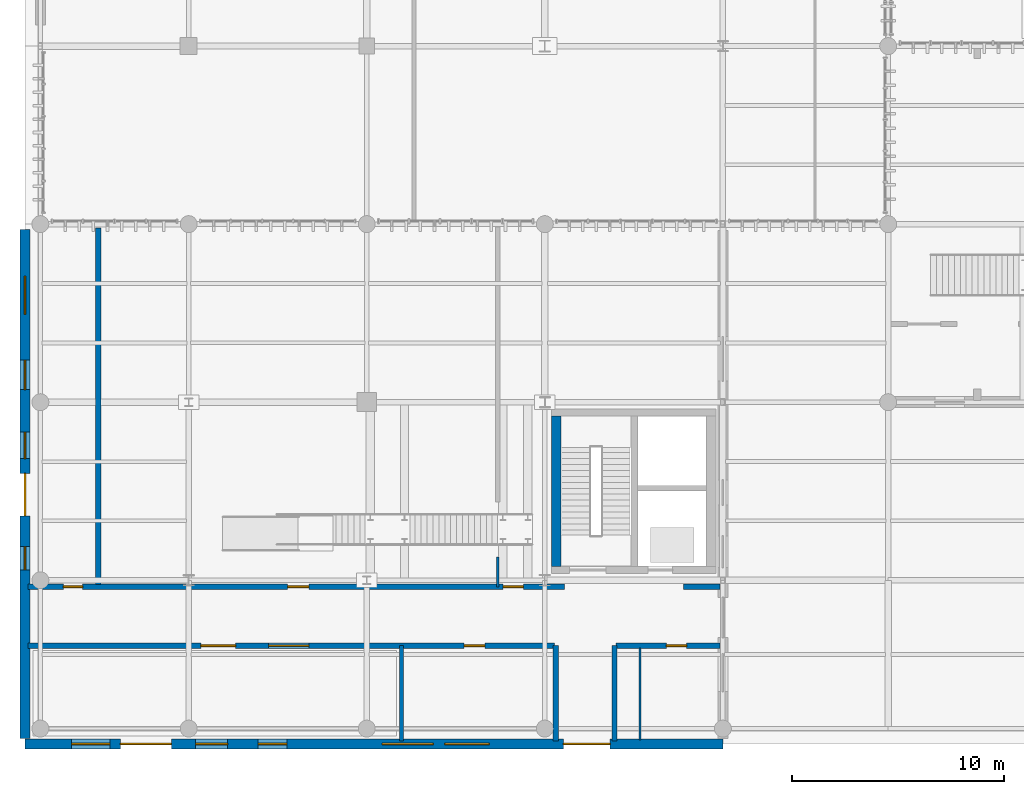
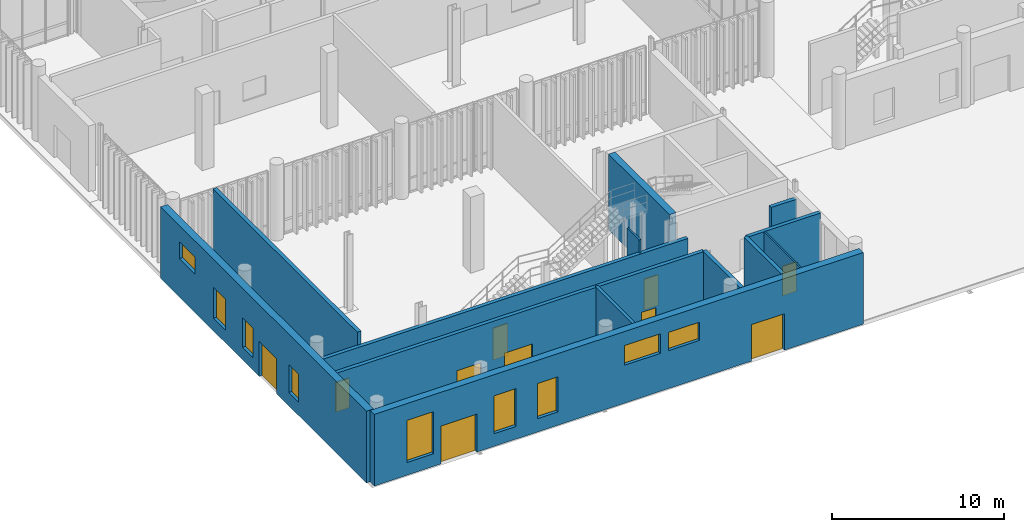
# One storey, part 85 of 112: 13 walls, 10 windows, 9 doors, 19 openings.
"""IFC4 building model written with IfcOpenShell, lengths in metres."""

from ifc_helpers import new_model, si_unit, direction, frame, frame_2d, origin_with_axes, place, context, subcontext, project, spatial, rectangle, extrude, material, layer, layer_set, type_object, element, fill, save


model = new_model("IFC4")

# Units and contexts
model_context = context("Model", 3, precision=1e-05, world=origin_with_axes(), true_north=direction((0.0, 1.0)))
body_context = subcontext(model_context, "Body", "Model", "MODEL_VIEW")
ifc_project = project(units=[si_unit("LENGTHUNIT", "METRE"), si_unit("AREAUNIT", "SQUARE_METRE"), si_unit("VOLUMEUNIT", "CUBIC_METRE"), si_unit("PLANEANGLEUNIT", "RADIAN"), si_unit("MASSUNIT", "GRAM", prefix="KILO"), si_unit("THERMODYNAMICTEMPERATUREUNIT", "KELVIN")], contexts=[model_context])

# Site, building, storey
site_placement = place(None, origin_with_axes())
site = spatial("IfcSite", under=ifc_project, at=site_placement, CompositionType="ELEMENT")
building_placement = place(site_placement, origin_with_axes())
building = spatial("IfcBuilding", under=site, at=building_placement, Name="Montbau Bow Law Courts", CompositionType="ELEMENT")
storey_placement = place(building_placement, origin_with_axes())
storey = spatial("IfcBuildingStorey", under=building, at=storey_placement, Name="L00", CompositionType="ELEMENT", Elevation=0.0)

# Wall
ifc_material_1 = material(Name="Concrete CSA A23.1 f'c 45 MPa", Category="concrete")
ifc_layer_1 = layer(ifc_material_1, 0.45, Name="Shear Wall", Category="concrete")
ifc_layer_set_1 = layer_set([ifc_layer_1], Name="Concrete CSA A23.1 f'c 45 MPa")
wall_type_1 = type_object("IfcWallType", Name="W-COR-02", PredefinedType="SHEAR", material=ifc_layer_set_1)
wall_1_placement = place(None, frame((31.14, 21.56, 0.0), z_axis=(0.0, 0.0, 1.0), x_axis=(0.0, -1.0, 0.0)))
element("IfcWall", 1, at=wall_1_placement, inside=storey, type_object=wall_type_1, Name="WC-L00-0534:wal_0601", PredefinedType="SHEAR", context=body_context, shape_type="SweptSolid", body=[
    extrude(rectangle(XDim=7.119999999999999, YDim=0.45, at=frame_2d((3.56, 0.0), x_axis=(1.0, 0.0))), origin_with_axes(), (0.0, 0.0, 1.0), 5.4),
])

# Wall, openings, doors, windows
ifc_material_2 = material(Name="Manitoba Tyndall Limestone on Insulated Concrete Backing CSA A23.1 f'c 35 MPa", Category="masonry")
ifc_layer_2 = layer(ifc_material_2, 0.48, Name="Solid Wall", Category="masonry")
ifc_layer_set_2 = layer_set([ifc_layer_2], Name="Manitoba Tyndall Limestone on Insulated Concrete Backing CSA A23.1 f'c 35 MPa")
wall_type_2 = type_object("IfcWallType", Name="W-EXT-01", PredefinedType="SOLIDWALL", material=ifc_layer_set_2)
wall_2_placement = place(None, frame((6.08, 6.08, 0.0), z_axis=(0.0, 0.0, 1.0), x_axis=(1.0, 0.0, 0.0)))
wall_2 = element("IfcWall", 2, at=wall_2_placement, inside=storey, type_object=wall_type_2, Name="WE-L00-001:wal_0018", PredefinedType="SOLIDWALL", context=body_context, shape_type="SweptSolid", body=[
    extrude(rectangle(XDim=32.92, YDim=0.48, at=frame_2d((16.46, 0.0), x_axis=(1.0, 0.0))), origin_with_axes(), (0.0, 0.0, 1.0), 5.1),
])
opening_1_placement = place(None, frame((11.78, 6.08, 0.0), z_axis=(0.0, 0.0, 1.0), x_axis=(1.0, 0.0, 0.0)))
opening_1 = element("IfcOpeningElement", 3, at=opening_1_placement, cuts=wall_2, Name="OP-D-L00-E07", PredefinedType="OPENING", context=body_context, shape_type="SweptSolid", body=[
    extrude(rectangle(XDim=2.4, YDim=2.7, at=frame_2d((0.0, 1.35), x_axis=(1.0, 0.0))), frame((0.0, 0.25, 0.0), z_axis=(0.0, -1.0, 0.0), x_axis=(1.0, 0.0, 0.0)), (0.0, 0.0, 1.0), 0.5),
])
opening_2_placement = place(None, frame((32.58, 6.08, 0.0), z_axis=(0.0, 0.0, 1.0), x_axis=(1.0, 0.0, 0.0)))
opening_2 = element("IfcOpeningElement", 4, at=opening_2_placement, cuts=wall_2, Name="OP-D-L00-E08", PredefinedType="OPENING", context=body_context, shape_type="SweptSolid", body=[
    extrude(rectangle(XDim=2.2, YDim=2.6, at=frame_2d((0.0, 1.3), x_axis=(1.0, 0.0))), frame((0.0, 0.25, 0.0), z_axis=(0.0, -1.0, 0.0), x_axis=(1.0, 0.0, 0.0)), (0.0, 0.0, 1.0), 0.5),
])
opening_3_placement = place(None, frame((9.18, 6.08, 0.9), z_axis=(0.0, 0.0, 1.0), x_axis=(1.0, 0.0, 0.0)))
opening_3 = element("IfcOpeningElement", 5, at=opening_3_placement, cuts=wall_2, Name="OP-WN-L00-005", PredefinedType="OPENING", context=body_context, shape_type="SweptSolid", body=[
    extrude(rectangle(XDim=1.8, YDim=3.0, at=frame_2d((0.0, 1.5), x_axis=(1.0, 0.0))), frame((0.0, 0.25, 0.0), z_axis=(0.0, -1.0, 0.0), x_axis=(1.0, 0.0, 0.0)), (0.0, 0.0, 1.0), 0.5),
])
opening_4_placement = place(None, frame((14.88, 6.08, 0.9), z_axis=(0.0, 0.0, 1.0), x_axis=(1.0, 0.0, 0.0)))
opening_4 = element("IfcOpeningElement", 6, at=opening_4_placement, cuts=wall_2, Name="OP-WN-L00-006", PredefinedType="OPENING", context=body_context, shape_type="SweptSolid", body=[
    extrude(rectangle(XDim=1.5, YDim=2.7, at=frame_2d((0.0, 1.35), x_axis=(1.0, 0.0))), frame((0.0, 0.25, 0.0), z_axis=(0.0, -1.0, 0.0), x_axis=(1.0, 0.0, 0.0)), (0.0, 0.0, 1.0), 0.5),
])
opening_5_placement = place(None, frame((17.755, 6.08, 0.95), z_axis=(0.0, 0.0, 1.0), x_axis=(1.0, 0.0, 0.0)))
opening_5 = element("IfcOpeningElement", 7, at=opening_5_placement, cuts=wall_2, Name="OP-WN-L00-007", PredefinedType="OPENING", context=body_context, shape_type="SweptSolid", body=[
    extrude(rectangle(XDim=1.35, YDim=2.5, at=frame_2d((0.0, 1.25), x_axis=(1.0, 0.0))), frame((0.0, 0.25, 0.0), z_axis=(0.0, -1.0, 0.0), x_axis=(1.0, 0.0, 0.0)), (0.0, 0.0, 1.0), 0.5),
])
opening_6_placement = place(None, frame((24.13, 6.08, 2.7), z_axis=(0.0, 0.0, 1.0), x_axis=(1.0, 0.0, 0.0)))
opening_6 = element("IfcOpeningElement", 8, at=opening_6_placement, cuts=wall_2, Name="OP-WN-L00-008", PredefinedType="OPENING", context=body_context, shape_type="SweptSolid", body=[
    extrude(rectangle(XDim=2.4, YDim=1.4, at=frame_2d((0.0, 0.7), x_axis=(1.0, 0.0))), frame((0.0, 0.25, 0.0), z_axis=(0.0, -1.0, 0.0), x_axis=(1.0, 0.0, 0.0)), (0.0, 0.0, 1.0), 0.5),
])
opening_7_placement = place(None, frame((26.93, 6.08, 2.7), z_axis=(0.0, 0.0, 1.0), x_axis=(1.0, 0.0, 0.0)))
opening_7 = element("IfcOpeningElement", 9, at=opening_7_placement, cuts=wall_2, Name="OP-WN-L00-009", PredefinedType="OPENING", context=body_context, shape_type="SweptSolid", body=[
    extrude(rectangle(XDim=2.1, YDim=1.3, at=frame_2d((0.0, 0.65), x_axis=(1.0, 0.0))), frame((0.0, 0.25, 0.0), z_axis=(0.0, -1.0, 0.0), x_axis=(1.0, 0.0, 0.0)), (0.0, 0.0, 1.0), 0.5),
])
ifc_material_3 = material(Name="Thermally Broken Bronze-Anodised Aluminium Glazed Entrance Door", Category="aluminium")
door_type_1 = type_object("IfcDoorType", Name="D-EXT-01", OperationType="NOTDEFINED", ParameterTakesPrecedence=False, PredefinedType="DOOR", material=ifc_material_3)
door_1_placement = place(None, frame((11.78, 6.08, 0.0), z_axis=(0.0, 0.0, 1.0), x_axis=(-1.0, 0.0, 0.0)))
door_1 = element("IfcDoor", 10, at=door_1_placement, inside=storey, type_object=door_type_1, Name="D-L00-E07:dor_0008", OperationType="DOUBLE_DOOR_SINGLE_SWING", OverallHeight=2.7, OverallWidth=2.4, PredefinedType="DOOR", context=body_context, shape_type="SweptSolid", body=[
    extrude(rectangle(XDim=2.4, YDim=2.7, at=frame_2d((0.0, 1.35), x_axis=(1.0, 0.0))), frame((0.0, 0.04, 0.0), z_axis=(0.0, -1.0, 0.0), x_axis=(1.0, 0.0, 0.0)), (0.0, 0.0, 1.0), 0.08),
])
fill(opening_1, door_1)
ifc_material_4 = material(Name="Thermally Broken Bronze-Anodised Aluminium Exit Door", Category="aluminium")
door_type_2 = type_object("IfcDoorType", Name="D-EXT-02", OperationType="NOTDEFINED", ParameterTakesPrecedence=False, PredefinedType="DOOR", material=ifc_material_4)
door_2_placement = place(None, frame((32.58, 6.08, 0.0), z_axis=(0.0, 0.0, 1.0), x_axis=(-1.0, 0.0, 0.0)))
door_2 = element("IfcDoor", 11, at=door_2_placement, inside=storey, type_object=door_type_2, Name="D-L00-E08:dor_0009", OperationType="DOUBLE_DOOR_SINGLE_SWING", OverallHeight=2.6, OverallWidth=2.2, PredefinedType="DOOR", context=body_context, shape_type="SweptSolid", body=[
    extrude(rectangle(XDim=2.2, YDim=2.6, at=frame_2d((0.0, 1.3), x_axis=(1.0, 0.0))), frame((0.0, 0.04, 0.0), z_axis=(0.0, -1.0, 0.0), x_axis=(1.0, 0.0, 0.0)), (0.0, 0.0, 1.0), 0.08),
])
fill(opening_2, door_2)
ifc_material_5 = material(Name="Triple-Glazed Low-E Argon Insulating Glass Unit", Category="glass")
window_type_1 = type_object("IfcWindowType", Name="WN-CRT-01", ParameterTakesPrecedence=False, PartitioningType="SINGLE_PANEL", PredefinedType="WINDOW", material=ifc_material_5)
window_1_placement = place(None, frame((24.13, 6.08, 2.7), z_axis=(0.0, 0.0, 1.0), x_axis=(1.0, 0.0, 0.0)))
window_1 = element("IfcWindow", 12, at=window_1_placement, inside=storey, type_object=window_type_1, Name="WN-L00-008:win_0008", OverallHeight=1.4, OverallWidth=2.4, PartitioningType="SINGLE_PANEL", PredefinedType="WINDOW", context=body_context, shape_type="SweptSolid", body=[
    extrude(rectangle(XDim=2.4, YDim=1.4, at=frame_2d((0.0, 0.7), x_axis=(1.0, 0.0))), frame((0.0, 0.03, 0.0), z_axis=(0.0, -1.0, 0.0), x_axis=(1.0, 0.0, 0.0)), (0.0, 0.0, 1.0), 0.06),
])
fill(opening_6, window_1)
window_type_2 = type_object("IfcWindowType", Name="WN-CRT-02", ParameterTakesPrecedence=False, PartitioningType="SINGLE_PANEL", PredefinedType="WINDOW", material=ifc_material_5)
window_2_placement = place(None, frame((26.93, 6.08, 2.7), z_axis=(0.0, 0.0, 1.0), x_axis=(1.0, 0.0, 0.0)))
window_2 = element("IfcWindow", 13, at=window_2_placement, inside=storey, type_object=window_type_2, Name="WN-L00-009:win_0009", OverallHeight=1.3, OverallWidth=2.1, PartitioningType="SINGLE_PANEL", PredefinedType="WINDOW", context=body_context, shape_type="SweptSolid", body=[
    extrude(rectangle(XDim=2.1, YDim=1.3, at=frame_2d((0.0, 0.65), x_axis=(1.0, 0.0))), frame((0.0, 0.03, 0.0), z_axis=(0.0, -1.0, 0.0), x_axis=(1.0, 0.0, 0.0)), (0.0, 0.0, 1.0), 0.06),
])
fill(opening_7, window_2)
window_type_3 = type_object("IfcWindowType", Name="WN-PLN-02", ParameterTakesPrecedence=False, PartitioningType="SINGLE_PANEL", PredefinedType="WINDOW", material=ifc_material_5)
window_3_placement = place(None, frame((9.18, 6.08, 0.9), z_axis=(0.0, 0.0, 1.0), x_axis=(1.0, 0.0, 0.0)))
window_3 = element("IfcWindow", 14, at=window_3_placement, inside=storey, type_object=window_type_3, Name="WN-L00-005:win_0005", OverallHeight=3.0, OverallWidth=1.8, PartitioningType="SINGLE_PANEL", PredefinedType="WINDOW", context=body_context, shape_type="SweptSolid", body=[
    extrude(rectangle(XDim=1.8, YDim=3.0, at=frame_2d((0.0, 1.5), x_axis=(1.0, 0.0))), frame((0.0, 0.03, 0.0), z_axis=(0.0, -1.0, 0.0), x_axis=(1.0, 0.0, 0.0)), (0.0, 0.0, 1.0), 0.06),
])
fill(opening_3, window_3)
window_type_4 = type_object("IfcWindowType", Name="WN-PLN-03", ParameterTakesPrecedence=False, PartitioningType="SINGLE_PANEL", PredefinedType="WINDOW", material=ifc_material_5)
window_4_placement = place(None, frame((14.88, 6.08, 0.9), z_axis=(0.0, 0.0, 1.0), x_axis=(1.0, 0.0, 0.0)))
window_4 = element("IfcWindow", 15, at=window_4_placement, inside=storey, type_object=window_type_4, Name="WN-L00-006:win_0006", OverallHeight=2.7, OverallWidth=1.5, PartitioningType="SINGLE_PANEL", PredefinedType="WINDOW", context=body_context, shape_type="SweptSolid", body=[
    extrude(rectangle(XDim=1.5, YDim=2.7, at=frame_2d((0.0, 1.35), x_axis=(1.0, 0.0))), frame((0.0, 0.03, 0.0), z_axis=(0.0, -1.0, 0.0), x_axis=(1.0, 0.0, 0.0)), (0.0, 0.0, 1.0), 0.06),
])
fill(opening_4, window_4)
window_type_5 = type_object("IfcWindowType", Name="WN-PLN-04", ParameterTakesPrecedence=False, PartitioningType="SINGLE_PANEL", PredefinedType="WINDOW", material=ifc_material_5)
window_5_placement = place(None, frame((17.755, 6.08, 0.95), z_axis=(0.0, 0.0, 1.0), x_axis=(1.0, 0.0, 0.0)))
window_5 = element("IfcWindow", 16, at=window_5_placement, inside=storey, type_object=window_type_5, Name="WN-L00-007:win_0007", OverallHeight=2.5, OverallWidth=1.35, PartitioningType="SINGLE_PANEL", PredefinedType="WINDOW", context=body_context, shape_type="SweptSolid", body=[
    extrude(rectangle(XDim=1.35, YDim=2.5, at=frame_2d((0.0, 1.25), x_axis=(1.0, 0.0))), frame((0.0, 0.03, 0.0), z_axis=(0.0, -1.0, 0.0), x_axis=(1.0, 0.0, 0.0)), (0.0, 0.0, 1.0), 0.06),
])
fill(opening_5, window_5)

# Wall, openings, door, windows
wall_3_placement = place(None, frame((6.08, 30.34, 0.0), z_axis=(0.0, 0.0, 1.0), x_axis=(0.0, -1.0, 0.0)))
wall_3 = element("IfcWall", 17, at=wall_3_placement, inside=storey, type_object=wall_type_2, Name="WE-L00-003:wal_0020", PredefinedType="SOLIDWALL", context=body_context, shape_type="SweptSolid", body=[
    extrude(rectangle(XDim=24.0, YDim=0.48, at=frame_2d((12.0, 0.0), x_axis=(1.0, 0.0))), origin_with_axes(), (0.0, 0.0, 1.0), 5.1),
])
opening_8_placement = place(None, frame((6.08, 17.84, 0.0), z_axis=(0.0, 0.0, 1.0), x_axis=(0.0, -1.0, 0.0)))
opening_8 = element("IfcOpeningElement", 18, at=opening_8_placement, cuts=wall_3, Name="OP-D-L00-E09", PredefinedType="OPENING", context=body_context, shape_type="SweptSolid", body=[
    extrude(rectangle(XDim=2.0, YDim=2.5, at=frame_2d((0.0, 1.25), x_axis=(1.0, 0.0))), frame((0.0, 0.25, 0.0), z_axis=(0.0, -1.0, 0.0), x_axis=(1.0, 0.0, 0.0)), (0.0, 0.0, 1.0), 0.5),
])
opening_9_placement = place(None, frame((6.08, 27.24, 2.75), z_axis=(0.0, 0.0, 1.0), x_axis=(0.0, -1.0, 0.0)))
opening_9 = element("IfcOpeningElement", 19, at=opening_9_placement, cuts=wall_3, Name="OP-WN-L00-010", PredefinedType="OPENING", context=body_context, shape_type="SweptSolid", body=[
    extrude(rectangle(XDim=1.8, YDim=1.2, at=frame_2d((0.0, 0.6), x_axis=(1.0, 0.0))), frame((0.0, 0.25, 0.0), z_axis=(0.0, -1.0, 0.0), x_axis=(1.0, 0.0, 0.0)), (0.0, 0.0, 1.0), 0.5),
])
opening_10_placement = place(None, frame((6.08, 23.49, 0.9), z_axis=(0.0, 0.0, 1.0), x_axis=(0.0, -1.0, 0.0)))
opening_10 = element("IfcOpeningElement", 20, at=opening_10_placement, cuts=wall_3, Name="OP-WN-L00-011", PredefinedType="OPENING", context=body_context, shape_type="SweptSolid", body=[
    extrude(rectangle(XDim=1.4, YDim=2.2, at=frame_2d((0.0, 1.1), x_axis=(1.0, 0.0))), frame((0.0, 0.25, 0.0), z_axis=(0.0, -1.0, 0.0), x_axis=(1.0, 0.0, 0.0)), (0.0, 0.0, 1.0), 0.5),
])
opening_11_placement = place(None, frame((6.08, 20.165, 0.9), z_axis=(0.0, 0.0, 1.0), x_axis=(0.0, -1.0, 0.0)))
opening_11 = element("IfcOpeningElement", 21, at=opening_11_placement, cuts=wall_3, Name="OP-WN-L00-012", PredefinedType="OPENING", context=body_context, shape_type="SweptSolid", body=[
    extrude(rectangle(XDim=1.25, YDim=2.1, at=frame_2d((0.0, 1.05), x_axis=(1.0, 0.0))), frame((0.0, 0.25, 0.0), z_axis=(0.0, -1.0, 0.0), x_axis=(1.0, 0.0, 0.0)), (0.0, 0.0, 1.0), 0.5),
])
opening_12_placement = place(None, frame((6.08, 14.84, 0.95), z_axis=(0.0, 0.0, 1.0), x_axis=(0.0, -1.0, 0.0)))
opening_12 = element("IfcOpeningElement", 22, at=opening_12_placement, cuts=wall_3, Name="OP-WN-L00-013", PredefinedType="OPENING", context=body_context, shape_type="SweptSolid", body=[
    extrude(rectangle(XDim=1.1, YDim=2.0, at=frame_2d((0.0, 1.0), x_axis=(1.0, 0.0))), frame((0.0, 0.25, 0.0), z_axis=(0.0, -1.0, 0.0), x_axis=(1.0, 0.0, 0.0)), (0.0, 0.0, 1.0), 0.5),
])
ifc_material_6 = material(Name="Thermally Broken Aluminium Street Exit Door", Category="aluminium")
door_type_3 = type_object("IfcDoorType", Name="D-EXT-03", OperationType="NOTDEFINED", ParameterTakesPrecedence=False, PredefinedType="DOOR", material=ifc_material_6)
door_3_placement = place(None, frame((6.08, 17.84, 0.0), z_axis=(0.0, 0.0, 1.0), x_axis=(0.0, 1.0, 0.0)))
door_3 = element("IfcDoor", 23, at=door_3_placement, inside=storey, type_object=door_type_3, Name="D-L00-E09:dor_0010", OperationType="DOUBLE_DOOR_SINGLE_SWING", OverallHeight=2.5, OverallWidth=2.0, PredefinedType="DOOR", context=body_context, shape_type="SweptSolid", body=[
    extrude(rectangle(XDim=2.0, YDim=2.5, at=frame_2d((0.0, 1.25), x_axis=(1.0, 0.0))), frame((0.0, 0.04, 0.0), z_axis=(0.0, -1.0, 0.0), x_axis=(1.0, 0.0, 0.0)), (0.0, 0.0, 1.0), 0.08),
])
fill(opening_8, door_3)
window_type_6 = type_object("IfcWindowType", Name="WN-CHM-01", ParameterTakesPrecedence=False, PartitioningType="SINGLE_PANEL", PredefinedType="WINDOW", material=ifc_material_5)
window_6_placement = place(None, frame((6.08, 23.49, 0.9), z_axis=(0.0, 0.0, 1.0), x_axis=(0.0, -1.0, 0.0)))
window_6 = element("IfcWindow", 24, at=window_6_placement, inside=storey, type_object=window_type_6, Name="WN-L00-011:win_0011", OverallHeight=2.2, OverallWidth=1.4, PartitioningType="SINGLE_PANEL", PredefinedType="WINDOW", context=body_context, shape_type="SweptSolid", body=[
    extrude(rectangle(XDim=1.4, YDim=2.2, at=frame_2d((0.0, 1.1), x_axis=(1.0, 0.0))), frame((0.0, 0.03, 0.0), z_axis=(0.0, -1.0, 0.0), x_axis=(1.0, 0.0, 0.0)), (0.0, 0.0, 1.0), 0.06),
])
fill(opening_10, window_6)
window_type_7 = type_object("IfcWindowType", Name="WN-CHM-02", ParameterTakesPrecedence=False, PartitioningType="SINGLE_PANEL", PredefinedType="WINDOW", material=ifc_material_5)
window_7_placement = place(None, frame((6.08, 20.165, 0.9), z_axis=(0.0, 0.0, 1.0), x_axis=(0.0, -1.0, 0.0)))
window_7 = element("IfcWindow", 25, at=window_7_placement, inside=storey, type_object=window_type_7, Name="WN-L00-012:win_0012", OverallHeight=2.1, OverallWidth=1.25, PartitioningType="SINGLE_PANEL", PredefinedType="WINDOW", context=body_context, shape_type="SweptSolid", body=[
    extrude(rectangle(XDim=1.25, YDim=2.1, at=frame_2d((0.0, 1.05), x_axis=(1.0, 0.0))), frame((0.0, 0.03, 0.0), z_axis=(0.0, -1.0, 0.0), x_axis=(1.0, 0.0, 0.0)), (0.0, 0.0, 1.0), 0.06),
])
fill(opening_11, window_7)
window_type_8 = type_object("IfcWindowType", Name="WN-CHM-03", ParameterTakesPrecedence=False, PartitioningType="SINGLE_PANEL", PredefinedType="WINDOW", material=ifc_material_5)
window_8_placement = place(None, frame((6.08, 14.84, 0.95), z_axis=(0.0, 0.0, 1.0), x_axis=(0.0, -1.0, 0.0)))
window_8 = element("IfcWindow", 26, at=window_8_placement, inside=storey, type_object=window_type_8, Name="WN-L00-013:win_0013", OverallHeight=2.0, OverallWidth=1.1, PartitioningType="SINGLE_PANEL", PredefinedType="WINDOW", context=body_context, shape_type="SweptSolid", body=[
    extrude(rectangle(XDim=1.1, YDim=2.0, at=frame_2d((0.0, 1.0), x_axis=(1.0, 0.0))), frame((0.0, 0.03, 0.0), z_axis=(0.0, -1.0, 0.0), x_axis=(1.0, 0.0, 0.0)), (0.0, 0.0, 1.0), 0.06),
])
fill(opening_12, window_8)
window_type_9 = type_object("IfcWindowType", Name="WN-CRT-03", ParameterTakesPrecedence=False, PartitioningType="SINGLE_PANEL", PredefinedType="WINDOW", material=ifc_material_5)
window_9_placement = place(None, frame((6.08, 27.24, 2.75), z_axis=(0.0, 0.0, 1.0), x_axis=(0.0, -1.0, 0.0)))
window_9 = element("IfcWindow", 27, at=window_9_placement, inside=storey, type_object=window_type_9, Name="WN-L00-010:win_0010", OverallHeight=1.2, OverallWidth=1.8, PartitioningType="SINGLE_PANEL", PredefinedType="WINDOW", context=body_context, shape_type="SweptSolid", body=[
    extrude(rectangle(XDim=1.8, YDim=1.2, at=frame_2d((0.0, 0.6), x_axis=(1.0, 0.0))), frame((0.0, 0.03, 0.0), z_axis=(0.0, -1.0, 0.0), x_axis=(1.0, 0.0, 0.0)), (0.0, 0.0, 1.0), 0.06),
])
fill(opening_9, window_9)

# Walls
ifc_material_7 = material(Name="Double-Stud Acoustic Plumbing Chase Gypsum Assembly", Category="gypsum")
ifc_layer_3 = layer(ifc_material_7, 0.26, Name="Plumbing Wall", Category="gypsum")
ifc_layer_set_3 = layer_set([ifc_layer_3], Name="Double-Stud Acoustic Plumbing Chase Gypsum Assembly")
wall_type_3 = type_object("IfcWallType", Name="W-PLM-01", PredefinedType="PLUMBINGWALL", material=ifc_layer_set_3)
wall_4_placement = place(None, frame((9.54, 13.59, 0.0), z_axis=(0.0, 0.0, 1.0), x_axis=(0.0, 1.0, 0.0)))
element("IfcWall", 28, at=wall_4_placement, inside=storey, type_object=wall_type_3, Name="WD-L00-0613:wal_0680", PredefinedType="PLUMBINGWALL", context=body_context, shape_type="SweptSolid", body=[
    extrude(rectangle(XDim=16.830000000000002, YDim=0.26, at=frame_2d((8.415, 0.0), x_axis=(1.0, 0.0))), origin_with_axes(), (0.0, 0.0, 1.0), 5.08),
])
ifc_material_8 = material(Name="2 h Shaft and Exit-Passage Fire Separation Partition", Category="gypsum")
ifc_layer_4 = layer(ifc_material_8, 0.25, Name="Partition", Category="gypsum")
ifc_layer_set_4 = layer_set([ifc_layer_4], Name="2 h Shaft and Exit-Passage Fire Separation Partition")
wall_type_4 = type_object("IfcWallType", Name="W-PRT-01", PredefinedType="PARTITIONING", material=ifc_layer_set_4)
for number, where, z_axis, x_axis, name in (
    (29, (31.11, 6.22, 0.0), (0.0, 0.0, 1.0), (0.0, 1.0, 0.0), "WCX-L00-0563:wal_0630"),
    (30, (33.89, 6.22, 0.0), (0.0, 0.0, 1.0), (0.0, 1.0, 0.0), "WCX-L00-0564:wal_0631"),
):
    element("IfcWall", number, at=place(None, frame(where, z_axis=z_axis, x_axis=x_axis)), inside=storey, type_object=wall_type_4, Name=name, PredefinedType="PARTITIONING", context=body_context, shape_type="SweptSolid", body=[
        extrude(rectangle(XDim=4.490000000000001, YDim=0.25, at=frame_2d((2.245, 0.0), x_axis=(1.0, 0.0))), origin_with_axes(), (0.0, 0.0, 1.0), 5.08),
    ])

# Wall, openings, doors
wall_5_placement = place(None, frame((6.22, 13.49, 0.0), z_axis=(0.0, 0.0, 1.0), x_axis=(1.0, 0.0, 0.0)))
wall_5 = element("IfcWall", 31, at=wall_5_placement, inside=storey, type_object=wall_type_4, Name="WP-L00-0609:wal_0676", PredefinedType="PARTITIONING", context=body_context, shape_type="SweptSolid", body=[
    extrude(rectangle(XDim=25.312, YDim=0.25, at=frame_2d((12.656, 0.0), x_axis=(1.0, 0.0))), origin_with_axes(), (0.0, 0.0, 1.0), 4.15),
])
opening_13_placement = place(None, frame((8.342, 13.49, 0.0), z_axis=(0.0, 0.0, 1.0), x_axis=(1.0, 0.0, 0.0)))
opening_13 = element("IfcOpeningElement", 32, at=opening_13_placement, cuts=wall_5, Name="OP-D-L00-228", PredefinedType="OPENING", context=body_context, shape_type="SweptSolid", body=[
    extrude(rectangle(XDim=0.91, YDim=2.12, at=frame_2d((0.0, 1.06), x_axis=(1.0, 0.0))), frame((0.0, 0.135, 0.0), z_axis=(0.0, -1.0, 0.0), x_axis=(1.0, 0.0, 0.0)), (0.0, 0.0, 1.0), 0.27),
])
opening_14_placement = place(None, frame((18.963, 13.49, 0.0), z_axis=(0.0, 0.0, 1.0), x_axis=(1.0, 0.0, 0.0)))
opening_14 = element("IfcOpeningElement", 33, at=opening_14_placement, cuts=wall_5, Name="OP-D-L00-229", PredefinedType="OPENING", context=body_context, shape_type="SweptSolid", body=[
    extrude(rectangle(XDim=1.0, YDim=2.28, at=frame_2d((0.0, 1.14), x_axis=(1.0, 0.0))), frame((0.0, 0.135, 0.0), z_axis=(0.0, -1.0, 0.0), x_axis=(1.0, 0.0, 0.0)), (0.0, 0.0, 1.0), 0.27),
])
opening_15_placement = place(None, frame((29.108, 13.49, 0.0), z_axis=(0.0, 0.0, 1.0), x_axis=(1.0, 0.0, 0.0)))
opening_15 = element("IfcOpeningElement", 34, at=opening_15_placement, cuts=wall_5, Name="OP-D-L00-230", PredefinedType="OPENING", context=body_context, shape_type="SweptSolid", body=[
    extrude(rectangle(XDim=0.96, YDim=2.2, at=frame_2d((0.0, 1.1), x_axis=(1.0, 0.0))), frame((0.0, 0.135, 0.0), z_axis=(0.0, -1.0, 0.0), x_axis=(1.0, 0.0, 0.0)), (0.0, 0.0, 1.0), 0.27),
])
ifc_material_9 = material(Name="Resident Judge Chambers Solid White-Oak Door", Category="wood")
door_type_4 = type_object("IfcDoorType", Name="D-CHM-01", OperationType="NOTDEFINED", ParameterTakesPrecedence=False, PredefinedType="DOOR", material=ifc_material_9)
door_4_placement = place(None, frame((29.108, 13.49, 0.0), z_axis=(0.0, 0.0, 1.0), x_axis=(-1.0, 0.0, 0.0)))
door_4 = element("IfcDoor", 35, at=door_4_placement, inside=storey, type_object=door_type_4, Name="D-L00-230:dor_0265", OperationType="SINGLE_SWING_RIGHT", OverallHeight=2.2, OverallWidth=0.96, PredefinedType="DOOR", context=body_context, shape_type="SweptSolid", body=[
    extrude(rectangle(XDim=0.96, YDim=2.2, at=frame_2d((0.0, 1.1), x_axis=(1.0, 0.0))), frame((0.0, 0.04, 0.0), z_axis=(0.0, -1.0, 0.0), x_axis=(1.0, 0.0, 0.0)), (0.0, 0.0, 1.0), 0.08),
])
fill(opening_15, door_4)
ifc_material_10 = material(Name="Prisoner Dock Security Steel Acoustic Door", Category="steel")
door_type_5 = type_object("IfcDoorType", Name="D-CRT-06", OperationType="NOTDEFINED", ParameterTakesPrecedence=False, PredefinedType="DOOR", material=ifc_material_10)
door_5_placement = place(None, frame((18.963, 13.49, 0.0), z_axis=(0.0, 0.0, 1.0), x_axis=(-1.0, 0.0, 0.0)))
door_5 = element("IfcDoor", 36, at=door_5_placement, inside=storey, type_object=door_type_5, Name="D-L00-229:dor_0264", OperationType="SINGLE_SWING_LEFT", OverallHeight=2.28, OverallWidth=1.0, PredefinedType="DOOR", context=body_context, shape_type="SweptSolid", body=[
    extrude(rectangle(XDim=1.0, YDim=2.28, at=frame_2d((0.0, 1.14), x_axis=(1.0, 0.0))), frame((0.0, 0.04, 0.0), z_axis=(0.0, -1.0, 0.0), x_axis=(1.0, 0.0, 0.0)), (0.0, 0.0, 1.0), 0.08),
])
fill(opening_14, door_5)
ifc_material_11 = material(Name="Public and Judicial Washroom Solid-Core Door", Category="wood")
door_type_6 = type_object("IfcDoorType", Name="D-WC-02", OperationType="NOTDEFINED", ParameterTakesPrecedence=False, PredefinedType="DOOR", material=ifc_material_11)
door_6_placement = place(None, frame((8.342, 13.49, 0.0), z_axis=(0.0, 0.0, 1.0), x_axis=(-1.0, 0.0, 0.0)))
door_6 = element("IfcDoor", 37, at=door_6_placement, inside=storey, type_object=door_type_6, Name="D-L00-228:dor_0263", OperationType="SINGLE_SWING_RIGHT", OverallHeight=2.12, OverallWidth=0.91, PredefinedType="DOOR", context=body_context, shape_type="SweptSolid", body=[
    extrude(rectangle(XDim=0.91, YDim=2.12, at=frame_2d((0.0, 1.06), x_axis=(1.0, 0.0))), frame((0.0, 0.04, 0.0), z_axis=(0.0, -1.0, 0.0), x_axis=(1.0, 0.0, 0.0)), (0.0, 0.0, 1.0), 0.08),
])
fill(opening_13, door_6)

# Wall
wall_6_placement = place(None, frame((37.143, 13.49, 0.0), z_axis=(0.0, 0.0, 1.0), x_axis=(1.0, 0.0, 0.0)))
element("IfcWall", 38, at=wall_6_placement, inside=storey, type_object=wall_type_4, Name="WP-L00-0610:wal_0677", PredefinedType="PARTITIONING", context=body_context, shape_type="SweptSolid", body=[
    extrude(rectangle(XDim=1.7169999999999987, YDim=0.25, at=frame_2d((0.8585, 0.0), x_axis=(1.0, 0.0))), origin_with_axes(), (0.0, 0.0, 1.0), 4.382),
])

# Wall, openings, doors, window
wall_7_placement = place(None, frame((6.22, 10.71, 0.0), z_axis=(0.0, 0.0, 1.0), x_axis=(1.0, 0.0, 0.0)))
wall_7 = element("IfcWall", 39, at=wall_7_placement, inside=storey, type_object=wall_type_4, Name="WP-L00-0611:wal_0678", PredefinedType="PARTITIONING", context=body_context, shape_type="SweptSolid", body=[
    extrude(rectangle(XDim=24.830000000000002, YDim=0.25, at=frame_2d((12.415, 0.0), x_axis=(1.0, 0.0))), origin_with_axes(), (0.0, 0.0, 1.0), 5.08),
])
opening_16_placement = place(None, frame((15.191, 10.71, 0.0), z_axis=(0.0, 0.0, 1.0), x_axis=(1.0, 0.0, 0.0)))
opening_16 = element("IfcOpeningElement", 40, at=opening_16_placement, cuts=wall_7, Name="OP-D-L00-231", PredefinedType="OPENING", context=body_context, shape_type="SweptSolid", body=[
    extrude(rectangle(XDim=1.64, YDim=2.42, at=frame_2d((0.0, 1.21), x_axis=(1.0, 0.0))), frame((0.0, 0.135, 0.0), z_axis=(0.0, -1.0, 0.0), x_axis=(1.0, 0.0, 0.0)), (0.0, 0.0, 1.0), 0.27),
])
opening_17_placement = place(None, frame((27.283, 10.71, 0.0), z_axis=(0.0, 0.0, 1.0), x_axis=(1.0, 0.0, 0.0)))
opening_17 = element("IfcOpeningElement", 41, at=opening_17_placement, cuts=wall_7, Name="OP-D-L00-232", PredefinedType="OPENING", context=body_context, shape_type="SweptSolid", body=[
    extrude(rectangle(XDim=0.99, YDim=2.22, at=frame_2d((0.0, 1.11), x_axis=(1.0, 0.0))), frame((0.0, 0.135, 0.0), z_axis=(0.0, -1.0, 0.0), x_axis=(1.0, 0.0, 0.0)), (0.0, 0.0, 1.0), 0.27),
])
opening_18_placement = place(None, frame((18.521, 10.71, 1.05), z_axis=(0.0, 0.0, 1.0), x_axis=(1.0, 0.0, 0.0)))
opening_18 = element("IfcOpeningElement", 42, at=opening_18_placement, cuts=wall_7, Name="OP-WI-L00-01", PredefinedType="OPENING", context=body_context, shape_type="SweptSolid", body=[
    extrude(rectangle(XDim=1.9, YDim=1.5, at=frame_2d((0.0, 0.75), x_axis=(1.0, 0.0))), frame((0.0, 0.135, 0.0), z_axis=(0.0, -1.0, 0.0), x_axis=(1.0, 0.0, 0.0)), (0.0, 0.0, 1.0), 0.27),
])
ifc_material_12 = material(Name="Acoustic White-Oak Civil and Family Hearing Double Door", Category="wood")
door_type_7 = type_object("IfcDoorType", Name="D-CRT-04", OperationType="NOTDEFINED", ParameterTakesPrecedence=False, PredefinedType="DOOR", material=ifc_material_12)
door_7_placement = place(None, frame((15.191, 10.71, 0.0), z_axis=(0.0, 0.0, 1.0), x_axis=(1.0, 0.0, 0.0)))
door_7 = element("IfcDoor", 43, at=door_7_placement, inside=storey, type_object=door_type_7, Name="D-L00-231:dor_0266", OperationType="DOUBLE_DOOR_SINGLE_SWING", OverallHeight=2.42, OverallWidth=1.64, PredefinedType="DOOR", context=body_context, shape_type="SweptSolid", body=[
    extrude(rectangle(XDim=1.64, YDim=2.42, at=frame_2d((0.0, 1.21), x_axis=(1.0, 0.0))), frame((0.0, 0.04, 0.0), z_axis=(0.0, -1.0, 0.0), x_axis=(1.0, 0.0, 0.0)), (0.0, 0.0, 1.0), 0.08),
])
fill(opening_16, door_7)
ifc_material_13 = material(Name="STC-52 Jury Deliberation Suite Solid-Core Oak Door", Category="wood")
door_type_8 = type_object("IfcDoorType", Name="D-JUR-01", OperationType="NOTDEFINED", ParameterTakesPrecedence=False, PredefinedType="DOOR", material=ifc_material_13)
door_8_placement = place(None, frame((27.283, 10.71, 0.0), z_axis=(0.0, 0.0, 1.0), x_axis=(1.0, 0.0, 0.0)))
door_8 = element("IfcDoor", 44, at=door_8_placement, inside=storey, type_object=door_type_8, Name="D-L00-232:dor_0267", OperationType="SINGLE_SWING_LEFT", OverallHeight=2.22, OverallWidth=0.99, PredefinedType="DOOR", context=body_context, shape_type="SweptSolid", body=[
    extrude(rectangle(XDim=0.99, YDim=2.22, at=frame_2d((0.0, 1.11), x_axis=(1.0, 0.0))), frame((0.0, 0.04, 0.0), z_axis=(0.0, -1.0, 0.0), x_axis=(1.0, 0.0, 0.0)), (0.0, 0.0, 1.0), 0.08),
])
fill(opening_17, door_8)
ifc_material_14 = material(Name="Fire-Rated Acoustic Borrowed-Light Interior Glazing", Category="glass")
window_type_10 = type_object("IfcWindowType", Name="WN-INT-01", ParameterTakesPrecedence=False, PartitioningType="SINGLE_PANEL", PredefinedType="WINDOW", material=ifc_material_14)
window_10_placement = place(None, frame((18.521, 10.71, 1.05), z_axis=(0.0, 0.0, 1.0), x_axis=(1.0, 0.0, 0.0)))
window_10 = element("IfcWindow", 45, at=window_10_placement, inside=storey, type_object=window_type_10, Name="WI-L00-01:win_0123", OverallHeight=1.5, OverallWidth=1.9, PartitioningType="SINGLE_PANEL", PredefinedType="WINDOW", context=body_context, shape_type="SweptSolid", body=[
    extrude(rectangle(XDim=1.9, YDim=1.5, at=frame_2d((0.0, 0.75), x_axis=(1.0, 0.0))), frame((0.0, 0.03, 0.0), z_axis=(0.0, -1.0, 0.0), x_axis=(1.0, 0.0, 0.0)), (0.0, 0.0, 1.0), 0.06),
])
fill(opening_18, window_10)

# Wall, opening, door
wall_8_placement = place(None, frame((33.95, 10.71, 0.0), z_axis=(0.0, 0.0, 1.0), x_axis=(1.0, 0.0, 0.0)))
wall_8 = element("IfcWall", 46, at=wall_8_placement, inside=storey, type_object=wall_type_4, Name="WP-L00-0612:wal_0679", PredefinedType="PARTITIONING", context=body_context, shape_type="SweptSolid", body=[
    extrude(rectangle(XDim=4.909999999999997, YDim=0.25, at=frame_2d((2.455, 0.0), x_axis=(1.0, 0.0))), origin_with_axes(), (0.0, 0.0, 1.0), 5.08),
])
opening_19_placement = place(None, frame((36.813, 10.71, 0.0), z_axis=(0.0, 0.0, 1.0), x_axis=(1.0, 0.0, 0.0)))
opening_19 = element("IfcOpeningElement", 47, at=opening_19_placement, cuts=wall_8, Name="OP-D-L00-233", PredefinedType="OPENING", context=body_context, shape_type="SweptSolid", body=[
    extrude(rectangle(XDim=0.95, YDim=2.1, at=frame_2d((0.0, 1.05), x_axis=(1.0, 0.0))), frame((0.0, 0.135, 0.0), z_axis=(0.0, -1.0, 0.0), x_axis=(1.0, 0.0, 0.0)), (0.0, 0.0, 1.0), 0.27),
])
ifc_material_15 = material(Name="CSA B651 Universal Barrier-Free Washroom Door", Category="wood")
door_type_9 = type_object("IfcDoorType", Name="D-WC-01", OperationType="NOTDEFINED", ParameterTakesPrecedence=False, PredefinedType="DOOR", material=ifc_material_15)
door_9_placement = place(None, frame((36.813, 10.71, 0.0), z_axis=(0.0, 0.0, 1.0), x_axis=(1.0, 0.0, 0.0)))
door_9 = element("IfcDoor", 48, at=door_9_placement, inside=storey, type_object=door_type_9, Name="D-L00-233:dor_0268", OperationType="SINGLE_SWING_RIGHT", OverallHeight=2.1, OverallWidth=0.95, PredefinedType="DOOR", context=body_context, shape_type="SweptSolid", body=[
    extrude(rectangle(XDim=0.95, YDim=2.1, at=frame_2d((0.0, 1.05), x_axis=(1.0, 0.0))), frame((0.0, 0.04, 0.0), z_axis=(0.0, -1.0, 0.0), x_axis=(1.0, 0.0, 0.0)), (0.0, 0.0, 1.0), 0.08),
])
fill(opening_19, door_9)

# Walls
ifc_material_16 = material(Name="STC-55 Jury Deliberation Security Partition", Category="gypsum")
ifc_layer_5 = layer(ifc_material_16, 0.2, Name="Partition", Category="gypsum")
ifc_layer_set_5 = layer_set([ifc_layer_5], Name="STC-55 Jury Deliberation Security Partition")
wall_type_5 = type_object("IfcWallType", Name="W-PRT-03", PredefinedType="PARTITIONING", material=ifc_layer_set_5)
wall_9_placement = place(None, frame((23.839, 6.22, 0.0), z_axis=(0.0, 0.0, 1.0), x_axis=(0.0, 1.0, 0.0)))
element("IfcWall", 49, at=wall_9_placement, inside=storey, type_object=wall_type_5, Name="WD-L00-0617:wal_0684", PredefinedType="PARTITIONING", context=body_context, shape_type="SweptSolid", body=[
    extrude(rectangle(XDim=4.490000000000001, YDim=0.2, at=frame_2d((2.245, 0.0), x_axis=(1.0, 0.0))), origin_with_axes(), (0.0, 0.0, 1.0), 5.08),
])
ifc_material_17 = material(Name="1 h Interior Demising Acoustic Stud Partition", Category="gypsum")
ifc_layer_6 = layer(ifc_material_17, 0.12, Name="Partition", Category="gypsum")
ifc_layer_set_6 = layer_set([ifc_layer_6], Name="1 h Interior Demising Acoustic Stud Partition")
wall_type_6 = type_object("IfcWallType", Name="W-PRT-07", PredefinedType="PARTITIONING", material=ifc_layer_set_6)
wall_10_placement = place(None, frame((28.386, 13.49, 0.0), z_axis=(0.0, 0.0, 1.0), x_axis=(0.0, 1.0, 0.0)))
element("IfcWall", 50, at=wall_10_placement, inside=storey, type_object=wall_type_6, Name="WD-L00-0615:wal_0682", PredefinedType="PARTITIONING", context=body_context, shape_type="SweptSolid", body=[
    extrude(rectangle(XDim=1.4100000000000001, YDim=0.12, at=frame_2d((0.705, 0.0), x_axis=(1.0, 0.0))), origin_with_axes(), (0.0, 0.0, 1.0), 5.08),
])
ifc_material_18 = material(Name="Washroom Vestibule Furring Partition", Category="gypsum")
ifc_layer_7 = layer(ifc_material_18, 0.1, Name="Partition", Category="gypsum")
ifc_layer_set_7 = layer_set([ifc_layer_7], Name="Washroom Vestibule Furring Partition")
wall_type_7 = type_object("IfcWallType", Name="W-PRT-08", PredefinedType="PARTITIONING", material=ifc_layer_set_7)
wall_11_placement = place(None, frame((35.09, 6.26, 0.0), z_axis=(0.0, 0.0, 1.0), x_axis=(0.0, 1.0, 0.0)))
element("IfcWall", 51, at=wall_11_placement, inside=storey, type_object=wall_type_7, Name="WD-L00-0614:wal_0681", PredefinedType="PARTITIONING", context=body_context, shape_type="SweptSolid", body=[
    extrude(rectangle(XDim=4.35, YDim=0.1, at=frame_2d((2.175, 0.0), x_axis=(1.0, 0.0))), origin_with_axes(), (0.0, 0.0, 1.0), 5.08),
])

save(model, "model.ifc")
